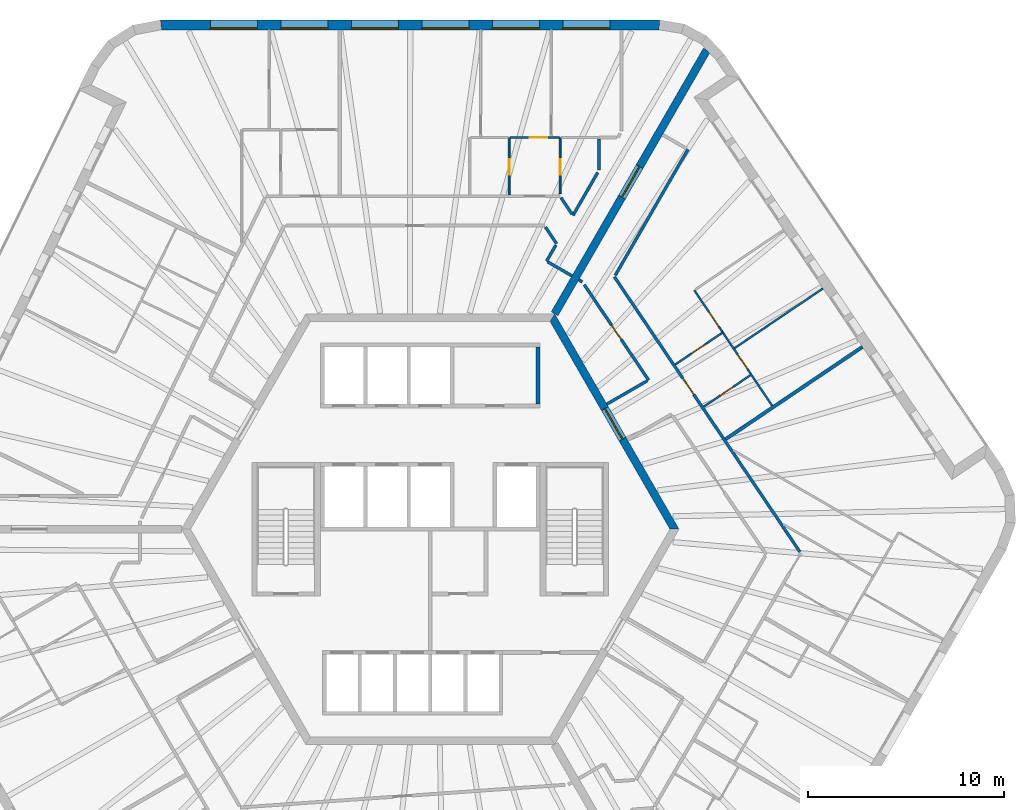
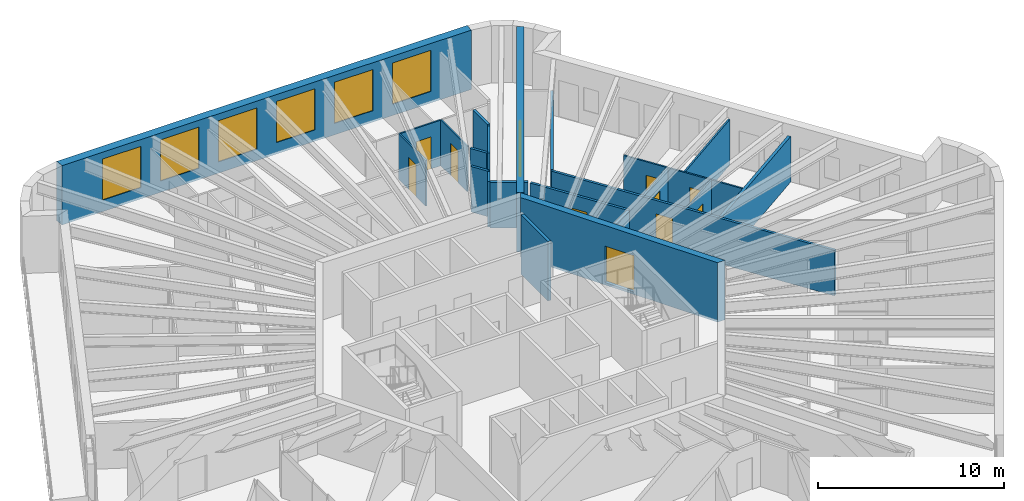
# One storey, part 10 of 12: 24 walls, 11 doors, 6 windows, 17 openings.
"""IFC4 building model written with IfcOpenShell, lengths in metres."""

from ifc_helpers import new_model, si_unit, direction, frame, frame_2d, origin, place, context, subcontext, project, spatial, polyline, rectangle, outline, extrude, material, layer, layer_set, type_object, element, fill, save


model = new_model("IFC4")

# Units and contexts
model_context = context("Model", 3, precision=1e-05, world=origin(), true_north=direction((0.0, 1.0)))
body_context = subcontext(model_context, "Body", "Model", "MODEL_VIEW")
ifc_project = project(units=[si_unit("LENGTHUNIT", "METRE"), si_unit("AREAUNIT", "SQUARE_METRE"), si_unit("VOLUMEUNIT", "CUBIC_METRE"), si_unit("PLANEANGLEUNIT", "RADIAN"), si_unit("MASSUNIT", "GRAM", prefix="KILO")], contexts=[model_context])

# Site, building, storey
site_placement = place(None, origin())
site = spatial("IfcSite", under=ifc_project, at=site_placement, CompositionType="ELEMENT")
building_placement = place(site_placement, origin())
building = spatial("IfcBuilding", under=site, at=building_placement, Name="Tarnside Tower", CompositionType="ELEMENT")
storey_placement = place(building_placement, frame((0.0, 0.0, 271.800048828125)))
storey = spatial("IfcBuildingStorey", under=building, at=storey_placement, Name="L65", CompositionType="ELEMENT", Elevation=271.800048828125)

# Wall, opening, door
ifc_material_1 = material(Name="Gypsum board partition on steel studs", Category="steel")
ifc_layer_1 = layer(ifc_material_1, 0.10009765625)
ifc_layer_set_1 = layer_set([ifc_layer_1], Name="Bathroom wall 100")
wall_type_1 = type_object("IfcWallType", Name="Bathroom wall 100", PredefinedType="PARTITIONING", material=ifc_layer_set_1)
wall_1_placement = place(storey_placement, frame((4.026611328125, 20.0, 0.0), z_axis=(0.0, 0.0, 1.0), x_axis=(0.0, -1.0, 0.0)))
wall_1 = element("IfcWall", 1, at=wall_1_placement, inside=storey, type_object=wall_type_1, Name="Bathroom wall 21091", PredefinedType="PARTITIONING", context=body_context, shape_type="SweptSolid", body=[
    extrude(rectangle(XDim=2.925048828125, YDim=0.10009765625, at=frame_2d((1.46240234375, 0.0))), origin(), (0.0, 0.0, 1.0), 2.98779296875),
])
opening_1_placement = place(wall_1_placement, frame((1.10009765625, 0.0, 0.0)))
opening_1 = element("IfcOpeningElement", 2, at=opening_1_placement, cuts=wall_1, Name="Opening D-B1", PredefinedType="OPENING", context=body_context, shape_type="SweptSolid", body=[
    extrude(rectangle(XDim=0.800048828125, YDim=2.10009765625, at=frame_2d((0.39990234375, 1.050048828125))), frame((0.0, 0.06005859375, 0.0), z_axis=(0.0, -1.0, 0.0), x_axis=(1.0, 0.0, 0.0)), (0.0, 0.0, 1.0), 0.1201171875),
])
ifc_material_2 = material(Name="Timber door leaf", Category="wood")
door_type_1 = type_object("IfcDoorType", Name="Bathroom door 800", OperationType="NOTDEFINED", PredefinedType="DOOR", material=ifc_material_2)
door_1_placement = place(opening_1_placement, origin())
door_1 = element("IfcDoor", 3, at=door_1_placement, inside=storey, type_object=door_type_1, Name="Bathroom door 21002", OperationType="SINGLE_SWING_LEFT", OverallHeight=2.10009765625, OverallWidth=0.800048828125, PredefinedType="DOOR", context=body_context, shape_type="SweptSolid", body=[
    extrude(rectangle(XDim=0.800048828125, YDim=2.10009765625, at=frame_2d((0.39990234375, 1.050048828125))), frame((0.0, 0.02490234375, 0.0), z_axis=(0.0, -1.0, 0.0), x_axis=(1.0, 0.0, 0.0)), (0.0, 0.0, 1.0), 0.050048828125),
])
fill(opening_1, door_1)

wall_2_placement = place(storey_placement, frame((6.626708984375, 17.134033203125, 0.0), z_axis=(0.0, 0.0, 1.0), x_axis=(0.0, 1.0, 0.0)))
wall_2 = element("IfcWall", 4, at=wall_2_placement, inside=storey, type_object=wall_type_1, Name="Bathroom wall 21094", PredefinedType="PARTITIONING", context=body_context, shape_type="SweptSolid", body=[
    extrude(rectangle(XDim=2.865966796875, YDim=0.10009765625, at=frame_2d((1.43310546875, 0.0))), origin(), (0.0, 0.0, 1.0), 2.98779296875),
])
opening_2_placement = place(wall_2_placement, frame((0.9658203125, 0.0, 0.0)))
opening_2 = element("IfcOpeningElement", 5, at=opening_2_placement, cuts=wall_2, Name="Opening D-B1", PredefinedType="OPENING", context=body_context, shape_type="SweptSolid", body=[
    extrude(rectangle(XDim=0.800048828125, YDim=2.10009765625, at=frame_2d((0.39990234375, 1.050048828125))), frame((0.0, 0.06005859375, 0.0), z_axis=(0.0, -1.0, 0.0), x_axis=(1.0, 0.0, 0.0)), (0.0, 0.0, 1.0), 0.1201171875),
])
door_2_placement = place(opening_2_placement, origin())
door_2 = element("IfcDoor", 6, at=door_2_placement, inside=storey, type_object=door_type_1, Name="Bathroom door 21011", OperationType="SINGLE_SWING_RIGHT", OverallHeight=2.10009765625, OverallWidth=0.800048828125, PredefinedType="DOOR", context=body_context, shape_type="SweptSolid", body=[
    extrude(rectangle(XDim=0.800048828125, YDim=2.10009765625, at=frame_2d((0.39990234375, 1.050048828125))), frame((0.0, 0.02490234375, 0.0), z_axis=(0.0, -1.0, 0.0), x_axis=(1.0, 0.0, 0.0)), (0.0, 0.0, 1.0), 0.050048828125),
])
fill(opening_2, door_2)

wall_3_placement = place(storey_placement, frame((13.965576171875, 6.25390625, 0.0), z_axis=(0.0, 0.0, 1.0), x_axis=(0.829046031219, 0.559180362781, 0.0)))
wall_3 = element("IfcWall", 7, at=wall_3_placement, inside=storey, type_object=wall_type_1, Name="Bathroom wall 21174", PredefinedType="PARTITIONING", context=body_context, shape_type="SweptSolid", body=[
    extrude(rectangle(XDim=2.9248046875, YDim=0.10009765625, at=frame_2d((1.46240234375, 0.0))), origin(), (0.0, 0.0, 1.0), 2.98779296875),
])
opening_3_placement = place(wall_3_placement, frame((1.02490234375, 0.0, 0.0)))
opening_3 = element("IfcOpeningElement", 8, at=opening_3_placement, cuts=wall_3, Name="Opening D-B1", PredefinedType="OPENING", context=body_context, shape_type="SweptSolid", body=[
    extrude(rectangle(XDim=0.800048828125, YDim=2.10009765625, at=frame_2d((0.39990234375, 1.050048828125))), frame((0.0, 0.06005859375, 0.0), z_axis=(0.0, -1.0, 0.0), x_axis=(1.0, 0.0, 0.0)), (0.0, 0.0, 1.0), 0.1201171875),
])
door_3_placement = place(opening_3_placement, origin())
door_3 = element("IfcDoor", 9, at=door_3_placement, inside=storey, type_object=door_type_1, Name="Bathroom door 21064", OperationType="SINGLE_SWING_RIGHT", OverallHeight=2.10009765625, OverallWidth=0.800048828125, PredefinedType="DOOR", context=body_context, shape_type="SweptSolid", body=[
    extrude(rectangle(XDim=0.800048828125, YDim=2.10009765625, at=frame_2d((0.39990234375, 1.050048828125))), frame((0.0, 0.02490234375, 0.0), z_axis=(0.0, -1.0, 0.0), x_axis=(1.0, 0.0, 0.0)), (0.0, 0.0, 1.0), 0.050048828125),
])
fill(opening_3, door_3)

# Wall
wall_4_placement = place(storey_placement, frame((17.45849609375, 6.305908203125, 0.0), z_axis=(0.0, 0.0, 1.0), x_axis=(-0.559200351269, 0.829032548903, 0.0)))
element("IfcWall", 10, at=wall_4_placement, inside=storey, type_object=wall_type_1, Name="Bathroom wall 21177", PredefinedType="PARTITIONING", context=body_context, shape_type="SweptSolid", body=[
    extrude(rectangle(XDim=1.862060546875, YDim=0.10009765625, at=frame_2d((0.93115234375, 0.0))), origin(), (0.0, 0.0, 1.0), 2.98779296875),
])

# Wall, opening, door
ifc_material_3 = material(Name="Concrete C60/75", Category="concrete")
ifc_layer_2 = layer(ifc_material_3, 0.39990234375)
ifc_layer_set_2 = layer_set([ifc_layer_2], Name="Core wall Z3 400 C60/75")
wall_type_2 = type_object("IfcWallType", Name="Core wall Z3 400 C60/75", PredefinedType="SHEAR", material=ifc_layer_set_2)
wall_5_placement = place(storey_placement, frame((12.470703125, 0.0, -0.150146484375), z_axis=(0.0, 0.0, 1.0), x_axis=(-0.499996419489, 0.866027470984, 0.0)))
wall_5 = element("IfcWall", 11, at=wall_5_placement, inside=storey, type_object=wall_type_2, Name="L65 core wall face 6", PredefinedType="SHEAR", context=body_context, shape_type="SweptSolid", body=[
    extrude(outline(polyline([(-0.115478515625, -0.199951171875), (12.586181640625, -0.199951171875), (12.355224609375, 0.199951171875), (0.115478515625, 0.199951171875), (-0.115478515625, -0.199951171875)])), origin(), (0.0, 0.0, 1.0), 3.900146484375),
])
opening_4_placement = place(wall_5_placement, frame((5.306396484375, 0.0, 0.14990234375)))
opening_4 = element("IfcOpeningElement", 12, at=opening_4_placement, cuts=wall_5, Name="Opening CD-LOB", PredefinedType="OPENING", context=body_context, shape_type="SweptSolid", body=[
    extrude(rectangle(XDim=1.800048828125, YDim=2.39990234375, at=frame_2d((0.89990234375, 1.199951171875))), frame((0.0, 0.2099609375, 0.0), z_axis=(0.0, -1.0, 0.0), x_axis=(1.0, 0.0, 0.0)), (0.0, 0.0, 1.0), 0.419921875),
])
ifc_material_4 = material(Name="Steel fire door", Category="steel")
door_type_2 = type_object("IfcDoorType", Name="Lobby double door FD30S 1800x2400", OperationType="NOTDEFINED", PredefinedType="DOOR", material=ifc_material_4)
door_4_placement = place(opening_4_placement, origin())
door_4 = element("IfcDoor", 13, at=door_4_placement, inside=storey, type_object=door_type_2, Name="L65 core door P2", OperationType="DOUBLE_DOOR_SINGLE_SWING", OverallHeight=2.39990234375, OverallWidth=1.800048828125, PredefinedType="DOOR", context=body_context, shape_type="SweptSolid", body=[
    extrude(rectangle(XDim=1.800048828125, YDim=2.39990234375, at=frame_2d((0.89990234375, 1.199951171875))), frame((0.0, 0.02490234375, 0.0), z_axis=(0.0, -1.0, 0.0), x_axis=(1.0, 0.0, 0.0)), (0.0, 0.0, 1.0), 0.050048828125),
])
fill(opening_4, door_4)

wall_6_placement = place(storey_placement, frame((6.350830078125, 11.0, -0.150146484375), z_axis=(0.0, 0.0, 1.0), x_axis=(0.499998894578, 0.866026041999, 0.0)))
wall_6 = element("IfcWall", 14, at=wall_6_placement, inside=storey, type_object=wall_type_2, Name="L65 spine wall 1", PredefinedType="SHEAR", context=body_context, shape_type="SweptSolid", body=[
    extrude(rectangle(XDim=15.54443359375, YDim=0.39990234375, at=frame_2d((7.772216796875, 0.0))), origin(), (0.0, 0.0, 1.0), 3.900146484375),
])
opening_5_placement = place(wall_6_placement, frame((6.872314453125, 0.0, 0.14990234375)))
opening_5 = element("IfcOpeningElement", 15, at=opening_5_placement, cuts=wall_6, Name="Opening CD-SPN", PredefinedType="OPENING", context=body_context, shape_type="SweptSolid", body=[
    extrude(rectangle(XDim=1.800048828125, YDim=2.39990234375, at=frame_2d((0.89990234375, 1.199951171875))), frame((0.0, 0.2099609375, 0.0), z_axis=(0.0, -1.0, 0.0), x_axis=(1.0, 0.0, 0.0)), (0.0, 0.0, 1.0), 0.419921875),
])
door_type_3 = type_object("IfcDoorType", Name="Spine passage double door FD60 1800x2400", OperationType="NOTDEFINED", PredefinedType="DOOR", material=ifc_material_4)
door_5_placement = place(opening_5_placement, origin())
door_5 = element("IfcDoor", 16, at=door_5_placement, inside=storey, type_object=door_type_3, Name="L65 spine passage door 1", OperationType="DOUBLE_DOOR_SINGLE_SWING", OverallHeight=2.39990234375, OverallWidth=1.800048828125, PredefinedType="DOOR", context=body_context, shape_type="SweptSolid", body=[
    extrude(rectangle(XDim=1.800048828125, YDim=2.39990234375, at=frame_2d((0.89990234375, 1.199951171875))), frame((0.0, 0.02490234375, 0.0), z_axis=(0.0, -1.0, 0.0), x_axis=(1.0, 0.0, 0.0)), (0.0, 0.0, 1.0), 0.050048828125),
])
fill(opening_5, door_5)

# Walls
ifc_layer_3 = layer(ifc_material_1, 0.14990234375)
ifc_layer_set_3 = layer_set([ifc_layer_3], Name="Corridor wall 150 EI 60")
wall_type_3 = type_object("IfcWallType", Name="Corridor wall 150 EI 60", PredefinedType="PARTITIONING", material=ifc_layer_set_3)
wall_7_placement = place(storey_placement, frame((8.626708984375, 19.925048828125, 0.0), z_axis=(0.0, 0.0, 1.0), x_axis=(0.0, -1.0, 0.0)))
element("IfcWall", 17, at=wall_7_placement, inside=storey, type_object=wall_type_3, Name="Corridor wall 21007", PredefinedType="PARTITIONING", context=body_context, shape_type="SweptSolid", body=[
    extrude(rectangle(XDim=1.583251953125, YDim=0.14990234375, at=frame_2d((0.79150390625, 0.0))), origin(), (0.0, 0.0, 1.0), 2.98779296875),
])
wall_8_placement = place(storey_placement, frame((8.551513671875, 18.2119140625, 0.0), z_axis=(0.0, 0.0, 1.0), x_axis=(-0.499959175164, -0.866048972731, 0.0)))
element("IfcWall", 18, at=wall_8_placement, inside=storey, type_object=wall_type_3, Name="Corridor wall 21008", PredefinedType="PARTITIONING", context=body_context, shape_type="SweptSolid", body=[
    extrude(rectangle(XDim=2.529541015625, YDim=0.14990234375, at=frame_2d((1.2646484375, 0.0))), origin(), (0.0, 0.0, 1.0), 2.98779296875),
])
wall_9_placement = place(storey_placement, frame((7.240234375, 16.09033203125, 0.0), z_axis=(0.0, 0.0, 1.0), x_axis=(-0.55916880098, 0.82905382938, 0.0)))
element("IfcWall", 19, at=wall_9_placement, inside=storey, type_object=wall_type_3, Name="Corridor wall 21009", PredefinedType="PARTITIONING", context=body_context, shape_type="SweptSolid", body=[
    extrude(rectangle(XDim=1.0068359375, YDim=0.14990234375, at=frame_2d((0.50341796875, 0.0))), origin(), (0.0, 0.0, 1.0), 2.98779296875),
])
wall_10_placement = place(storey_placement, frame((5.879638671875, 15.425048828125, 0.0), z_axis=(0.0, 0.0, 1.0), x_axis=(0.559202631314, -0.829031010959, 0.0)))
element("IfcWall", 20, at=wall_10_placement, inside=storey, type_object=wall_type_3, Name="Corridor wall 21023", PredefinedType="PARTITIONING", context=body_context, shape_type="SweptSolid", body=[
    extrude(rectangle(XDim=1.024169921875, YDim=0.14990234375, at=frame_2d((0.51220703125, 0.0))), origin(), (0.0, 0.0, 1.0), 2.98779296875),
])
wall_11_placement = place(storey_placement, frame((6.41064453125, 14.503662109375, 0.0), z_axis=(0.0, 0.0, 1.0), x_axis=(-0.499998034377, -0.866026538634, 0.0)))
element("IfcWall", 21, at=wall_11_placement, inside=storey, type_object=wall_type_3, Name="Corridor wall 21024", PredefinedType="PARTITIONING", context=body_context, shape_type="SweptSolid", body=[
    extrude(rectangle(XDim=0.94580078125, YDim=0.14990234375, at=frame_2d((0.472900390625, 0.0))), origin(), (0.0, 0.0, 1.0), 2.98779296875),
])
wall_12_placement = place(storey_placement, frame((6.002685546875, 13.647216796875, 0.0), z_axis=(0.0, 0.0, 1.0), x_axis=(0.865988727248, -0.500063520245, 0.0)))
element("IfcWall", 22, at=wall_12_placement, inside=storey, type_object=wall_type_3, Name="Corridor wall 21025", PredefinedType="PARTITIONING", context=body_context, shape_type="SweptSolid", body=[
    extrude(rectangle(XDim=1.425048828125, YDim=0.14990234375, at=frame_2d((0.71240234375, 0.0))), origin(), (0.0, 0.0, 1.0), 2.98779296875),
])

# Wall, opening, door
wall_13_placement = place(storey_placement, frame((18.87451171875, -1.158203125, 0.0), z_axis=(0.0, 0.0, 1.0), x_axis=(-0.55919880344, 0.829033592945, 0.0)))
wall_13 = element("IfcWall", 23, at=wall_13_placement, inside=storey, type_object=wall_type_3, Name="Corridor wall 21064", PredefinedType="PARTITIONING", context=body_context, shape_type="SweptSolid", body=[
    extrude(rectangle(XDim=16.939208984375, YDim=0.14990234375, at=frame_2d((8.4697265625, 0.0))), origin(), (0.0, 0.0, 1.0), 2.98779296875),
])
opening_6_placement = place(wall_13_placement, frame((9.690185546875, 0.0, 0.0)))
opening_6 = element("IfcOpeningElement", 24, at=opening_6_placement, cuts=wall_13, Name="Opening D-E1", PredefinedType="OPENING", context=body_context, shape_type="SweptSolid", body=[
    extrude(rectangle(XDim=1.0, YDim=2.10009765625, at=frame_2d((0.5, 1.050048828125))), frame((0.0, 0.0849609375, 0.0), z_axis=(0.0, -1.0, 0.0), x_axis=(1.0, 0.0, 0.0)), (0.0, 0.0, 1.0), 0.169921875),
])
door_type_4 = type_object("IfcDoorType", Name="Unit entrance door 1000 FD30S", OperationType="NOTDEFINED", PredefinedType="DOOR", material=ifc_material_2)
door_6_placement = place(opening_6_placement, origin())
door_6 = element("IfcDoor", 25, at=door_6_placement, inside=storey, type_object=door_type_4, Name="Unit door 21063", OperationType="SINGLE_SWING_RIGHT", OverallHeight=2.10009765625, OverallWidth=1.0, PredefinedType="DOOR", context=body_context, shape_type="SweptSolid", body=[
    extrude(rectangle(XDim=1.0, YDim=2.10009765625, at=frame_2d((0.5, 1.050048828125))), frame((0.0, 0.02490234375, 0.0), z_axis=(0.0, -1.0, 0.0), x_axis=(1.0, 0.0, 0.0)), (0.0, 0.0, 1.0), 0.050048828125),
])
fill(opening_6, door_6)

# Walls
wall_14_placement = place(storey_placement, frame((9.44384765625, 12.957275390625, 0.0), z_axis=(0.0, 0.0, 1.0), x_axis=(0.500004967958, 0.866022535513, 0.0)))
element("IfcWall", 26, at=wall_14_placement, inside=storey, type_object=wall_type_3, Name="Corridor wall 21070", PredefinedType="PARTITIONING", context=body_context, shape_type="SweptSolid", body=[
    extrude(rectangle(XDim=7.4306640625, YDim=0.14990234375, at=frame_2d((3.71533203125, 0.0))), origin(), (0.0, 0.0, 1.0), 2.98779296875),
])
wall_15_placement = place(storey_placement, frame((7.583251953125, 12.734619140625, 0.0), z_axis=(0.0, 0.0, 1.0), x_axis=(0.866088799389, -0.499890179513, 0.0)))
element("IfcWall", 27, at=wall_15_placement, inside=storey, type_object=wall_type_3, Name="Corridor wall 21083", PredefinedType="PARTITIONING", context=body_context, shape_type="SweptSolid", body=[
    extrude(rectangle(XDim=0.2099609375, YDim=0.14990234375, at=frame_2d((0.10498046875, 0.0))), origin(), (0.0, 0.0, 1.0), 2.98779296875),
])

# Wall, opening, door
wall_16_placement = place(storey_placement, frame((7.86083984375, 12.48779296875, 0.0), z_axis=(0.0, 0.0, 1.0), x_axis=(0.559178186788, -0.829047498893, 0.0)))
wall_16 = element("IfcWall", 28, at=wall_16_placement, inside=storey, type_object=wall_type_3, Name="Corridor wall 21084", PredefinedType="PARTITIONING", context=body_context, shape_type="SweptSolid", body=[
    extrude(rectangle(XDim=5.877685546875, YDim=0.14990234375, at=frame_2d((2.93896484375, 0.0))), origin(), (0.0, 0.0, 1.0), 2.98779296875),
])
opening_7_placement = place(wall_16_placement, frame((2.48876953125, 0.0, 0.0)))
opening_7 = element("IfcOpeningElement", 29, at=opening_7_placement, cuts=wall_16, Name="Opening D-S1", PredefinedType="OPENING", context=body_context, shape_type="SweptSolid", body=[
    extrude(rectangle(XDim=0.89990234375, YDim=2.10009765625, at=frame_2d((0.449951171875, 1.050048828125))), frame((0.0, 0.0849609375, 0.0), z_axis=(0.0, -1.0, 0.0), x_axis=(1.0, 0.0, 0.0)), (0.0, 0.0, 1.0), 0.169921875),
])
door_type_5 = type_object("IfcDoorType", Name="Service room door 900 FD30S", OperationType="NOTDEFINED", PredefinedType="DOOR", material=ifc_material_2)
door_7_placement = place(opening_7_placement, origin())
door_7 = element("IfcDoor", 30, at=door_7_placement, inside=storey, type_object=door_type_5, Name="Service door 21075", OperationType="SINGLE_SWING_RIGHT", OverallHeight=2.10009765625, OverallWidth=0.89990234375, PredefinedType="DOOR", context=body_context, shape_type="SweptSolid", body=[
    extrude(rectangle(XDim=0.89990234375, YDim=2.10009765625, at=frame_2d((0.449951171875, 1.050048828125))), frame((0.0, 0.02490234375, 0.0), z_axis=(0.0, -1.0, 0.0), x_axis=(1.0, 0.0, 0.0)), (0.0, 0.0, 1.0), 0.050048828125),
])
fill(opening_7, door_7)

# Walls
wall_17_placement = place(storey_placement, frame((11.082275390625, 7.57763671875, 0.0), z_axis=(0.0, 0.0, 1.0), x_axis=(-0.865993065409, -0.500056007527, 0.0)))
element("IfcWall", 31, at=wall_17_placement, inside=storey, type_object=wall_type_3, Name="Corridor wall 21085", PredefinedType="PARTITIONING", context=body_context, shape_type="SweptSolid", body=[
    extrude(rectangle(XDim=2.386474609375, YDim=0.14990234375, at=frame_2d((1.193359375, 0.0))), origin(), (0.0, 0.0, 1.0), 2.98779296875),
])
ifc_layer_4 = layer(ifc_material_1, 0.179931640625)
ifc_layer_set_4 = layer_set([ifc_layer_4], Name="Demising wall 180 EI 60")
wall_type_4 = type_object("IfcWallType", Name="Demising wall 180 EI 60", PredefinedType="PARTITIONING", material=ifc_layer_set_4)
wall_18_placement = place(storey_placement, frame((22.068603515625, 9.306884765625, 0.0), z_axis=(0.0, 0.0, 1.0), x_axis=(-0.829046823816, -0.559179187668, 0.0)))
element("IfcWall", 32, at=wall_18_placement, inside=storey, type_object=wall_type_4, Name="Demising wall 21162", PredefinedType="PARTITIONING", context=body_context, shape_type="SweptSolid", body=[
    extrude(rectangle(XDim=8.42529296875, YDim=0.179931640625, at=frame_2d((4.212646484375, 0.0))), origin(), (0.0, 0.0, 1.0), 2.98779296875),
])
ifc_material_5 = material(Name="Concrete C40/50", Category="concrete")
ifc_layer_5 = layer(ifc_material_5, 0.199951171875)
ifc_layer_set_5 = layer_set([ifc_layer_5], Name="Lift shaft wall 200 C40/50")
wall_type_5 = type_object("IfcWallType", Name="Lift shaft wall 200 C40/50", PredefinedType="SHEAR", material=ifc_layer_set_5)
wall_19_placement = place(storey_placement, frame((5.5, 6.39990234375, -0.25), z_axis=(0.0, 0.0, 1.0), x_axis=(0.0, 1.0, 0.0)))
element("IfcWall", 33, at=wall_19_placement, inside=storey, type_object=wall_type_5, Name="L65 lift shaft partition R16", PredefinedType="SHEAR", context=body_context, shape_type="SweptSolid", body=[
    extrude(rectangle(XDim=2.900146484375, YDim=0.199951171875, at=frame_2d((1.4501953125, 0.0))), origin(), (0.0, 0.0, 1.0), 3.89990234375),
])

# Wall, opening, door
ifc_layer_6 = layer(ifc_material_1, 0.10009765625)
ifc_layer_set_6 = layer_set([ifc_layer_6], Name="Partition 100")
wall_type_6 = type_object("IfcWallType", Name="Partition 100", PredefinedType="PARTITIONING", material=ifc_layer_set_6)
wall_20_placement = place(storey_placement, frame((6.57861328125, 20.0, 0.0), z_axis=(0.0, 0.0, 1.0), x_axis=(-1.0, 0.0, 0.0)))
wall_20 = element("IfcWall", 34, at=wall_20_placement, inside=storey, type_object=wall_type_6, Name="Partition wall 21092", PredefinedType="PARTITIONING", context=body_context, shape_type="SweptSolid", body=[
    extrude(rectangle(XDim=2.50390625, YDim=0.10009765625, at=frame_2d((1.251953125, 0.0))), origin(), (0.0, 0.0, 1.0), 2.98779296875),
])
opening_8_placement = place(wall_20_placement, frame((0.603515625, 0.0, 0.0)))
opening_8 = element("IfcOpeningElement", 35, at=opening_8_placement, cuts=wall_20, Name="Opening D-I1", PredefinedType="OPENING", context=body_context, shape_type="SweptSolid", body=[
    extrude(rectangle(XDim=0.89990234375, YDim=2.10009765625, at=frame_2d((0.449951171875, 1.050048828125))), frame((0.0, 0.06005859375, 0.0), z_axis=(0.0, -1.0, 0.0), x_axis=(1.0, 0.0, 0.0)), (0.0, 0.0, 1.0), 0.1201171875),
])
door_type_6 = type_object("IfcDoorType", Name="Internal door 900", OperationType="NOTDEFINED", PredefinedType="DOOR", material=ifc_material_2)
door_8_placement = place(opening_8_placement, origin())
door_8 = element("IfcDoor", 36, at=door_8_placement, inside=storey, type_object=door_type_6, Name="Internal door 21005", OperationType="SINGLE_SWING_LEFT", OverallHeight=2.10009765625, OverallWidth=0.89990234375, PredefinedType="DOOR", context=body_context, shape_type="SweptSolid", body=[
    extrude(rectangle(XDim=0.89990234375, YDim=2.10009765625, at=frame_2d((0.449951171875, 1.050048828125))), frame((0.0, 0.02490234375, 0.0), z_axis=(0.0, -1.0, 0.0), x_axis=(1.0, 0.0, 0.0)), (0.0, 0.0, 1.0), 0.050048828125),
])
fill(opening_8, door_8)

wall_21_placement = place(storey_placement, frame((12.511474609375, 8.409423828125, 0.0), z_axis=(0.0, 0.0, 1.0), x_axis=(0.829072128826, 0.559141668278, 0.0)))
wall_21 = element("IfcWall", 37, at=wall_21_placement, inside=storey, type_object=wall_type_6, Name="Partition wall 21171", PredefinedType="PARTITIONING", context=body_context, shape_type="SweptSolid", body=[
    extrude(rectangle(XDim=2.925048828125, YDim=0.10009765625, at=frame_2d((1.46240234375, 0.0))), origin(), (0.0, 0.0, 1.0), 2.98779296875),
])
opening_9_placement = place(wall_21_placement, frame((0.97509765625, 0.0, 0.0)))
opening_9 = element("IfcOpeningElement", 38, at=opening_9_placement, cuts=wall_21, Name="Opening D-I1", PredefinedType="OPENING", context=body_context, shape_type="SweptSolid", body=[
    extrude(rectangle(XDim=0.89990234375, YDim=2.10009765625, at=frame_2d((0.449951171875, 1.050048828125))), frame((0.0, 0.06005859375, 0.0), z_axis=(0.0, -1.0, 0.0), x_axis=(1.0, 0.0, 0.0)), (0.0, 0.0, 1.0), 0.1201171875),
])
door_9_placement = place(opening_9_placement, origin())
door_9 = element("IfcDoor", 39, at=door_9_placement, inside=storey, type_object=door_type_6, Name="Internal door 21065", OperationType="SINGLE_SWING_RIGHT", OverallHeight=2.10009765625, OverallWidth=0.89990234375, PredefinedType="DOOR", context=body_context, shape_type="SweptSolid", body=[
    extrude(rectangle(XDim=0.89990234375, YDim=2.10009765625, at=frame_2d((0.449951171875, 1.050048828125))), frame((0.0, 0.02490234375, 0.0), z_axis=(0.0, -1.0, 0.0), x_axis=(1.0, 0.0, 0.0)), (0.0, 0.0, 1.0), 0.050048828125),
])
fill(opening_9, door_9)

# Wall, openings, doors
wall_22_placement = place(storey_placement, frame((16.3916015625, 7.887939453125, 0.0), z_axis=(0.0, 0.0, 1.0), x_axis=(-0.559208437152, 0.829027094743, 0.0)))
wall_22 = element("IfcWall", 40, at=wall_22_placement, inside=storey, type_object=wall_type_6, Name="Partition wall 21172", PredefinedType="PARTITIONING", context=body_context, shape_type="SweptSolid", body=[
    extrude(rectangle(XDim=5.201904296875, YDim=0.10009765625, at=frame_2d((2.60107421875, 0.0))), origin(), (0.0, 0.0, 1.0), 2.98779296875),
])
opening_10_placement = place(wall_22_placement, frame((0.35205078125, 0.0, 0.0)))
opening_10 = element("IfcOpeningElement", 41, at=opening_10_placement, cuts=wall_22, Name="Opening D-I1", PredefinedType="OPENING", context=body_context, shape_type="SweptSolid", body=[
    extrude(rectangle(XDim=0.89990234375, YDim=2.10009765625, at=frame_2d((0.449951171875, 1.050048828125))), frame((0.0, 0.06005859375, 0.0), z_axis=(0.0, -1.0, 0.0), x_axis=(1.0, 0.0, 0.0)), (0.0, 0.0, 1.0), 0.1201171875),
])
opening_11_placement = place(wall_22_placement, frame((2.951904296875, 0.0, 0.0)))
opening_11 = element("IfcOpeningElement", 42, at=opening_11_placement, cuts=wall_22, Name="Opening D-I1", PredefinedType="OPENING", context=body_context, shape_type="SweptSolid", body=[
    extrude(rectangle(XDim=0.89990234375, YDim=2.10009765625, at=frame_2d((0.449951171875, 1.050048828125))), frame((0.0, 0.06005859375, 0.0), z_axis=(0.0, -1.0, 0.0), x_axis=(1.0, 0.0, 0.0)), (0.0, 0.0, 1.0), 0.1201171875),
])
door_10_placement = place(opening_10_placement, origin())
door_10 = element("IfcDoor", 43, at=door_10_placement, inside=storey, type_object=door_type_6, Name="Internal door 21066", OperationType="SINGLE_SWING_LEFT", OverallHeight=2.10009765625, OverallWidth=0.89990234375, PredefinedType="DOOR", context=body_context, shape_type="SweptSolid", body=[
    extrude(rectangle(XDim=0.89990234375, YDim=2.10009765625, at=frame_2d((0.449951171875, 1.050048828125))), frame((0.0, 0.02490234375, 0.0), z_axis=(0.0, -1.0, 0.0), x_axis=(1.0, 0.0, 0.0)), (0.0, 0.0, 1.0), 0.050048828125),
])
fill(opening_10, door_10)
door_11_placement = place(opening_11_placement, origin())
door_11 = element("IfcDoor", 44, at=door_11_placement, inside=storey, type_object=door_type_6, Name="Internal door 21067", OperationType="SINGLE_SWING_RIGHT", OverallHeight=2.10009765625, OverallWidth=0.89990234375, PredefinedType="DOOR", context=body_context, shape_type="SweptSolid", body=[
    extrude(rectangle(XDim=0.89990234375, YDim=2.10009765625, at=frame_2d((0.449951171875, 1.050048828125))), frame((0.0, 0.02490234375, 0.0), z_axis=(0.0, -1.0, 0.0), x_axis=(1.0, 0.0, 0.0)), (0.0, 0.0, 1.0), 0.050048828125),
])
fill(opening_11, door_11)

# Wall
wall_23_placement = place(storey_placement, frame((20.055419921875, 12.29150390625, 0.0), z_axis=(0.0, 0.0, 1.0), x_axis=(-0.829040254016, -0.559188928021, 0.0)))
element("IfcWall", 45, at=wall_23_placement, inside=storey, type_object=wall_type_6, Name="Partition wall 21178", PredefinedType="PARTITIONING", context=body_context, shape_type="SweptSolid", body=[
    extrude(rectangle(XDim=5.449951171875, YDim=0.10009765625, at=frame_2d((2.72509765625, 0.0))), origin(), (0.0, 0.0, 1.0), 2.98779296875),
])

# Wall, openings, windows
ifc_material_6 = material(Name="Facing brick", Category="masonry")
ifc_layer_7 = layer(ifc_material_6, 0.10205078125)
ifc_material_7 = material(Name="Concrete C60/75 precast", Category="concrete")
ifc_layer_8 = layer(ifc_material_7, 0.298095703125)
ifc_material_8 = material(Name="Mineral wool insulation")
ifc_layer_9 = layer(ifc_material_8, 0.10009765625)
ifc_layer_set_7 = layer_set([ifc_layer_7, ifc_layer_8, ifc_layer_9], Name="Tube wall 500 brick faced")
wall_type_7 = type_object("IfcWallType", Name="Tube wall 500 brick faced", PredefinedType="SOLIDWALL", material=ifc_layer_set_7)
wall_24_placement = place(storey_placement, frame((11.697509765625, 25.75, -0.150146484375), z_axis=(0.0, 0.0, 1.0), x_axis=(-1.0, 0.0, 0.0)))
wall_24 = element("IfcWall", 46, at=wall_24_placement, inside=storey, type_object=wall_type_7, Name="Tube wall L65 F1 flush 00", PredefinedType="SOLIDWALL", context=body_context, shape_type="SweptSolid", body=[
    extrude(outline(polyline([(-0.0205078125, -0.25), (25.468017578125, -0.25), (25.421142578125, 0.25), (0.0205078125, 0.25), (-0.0205078125, -0.25)])), origin(), (0.0, 0.0, 1.0), 3.900146484375),
])
opening_12_placement = place(wall_24_placement, frame((2.5224609375, 0.0, 0.75)))
opening_12 = element("IfcOpeningElement", 47, at=opening_12_placement, cuts=wall_24, Name="Opening WR", PredefinedType="OPENING", context=body_context, shape_type="SweptSolid", body=[
    extrude(rectangle(XDim=2.39990234375, YDim=2.699951171875, at=frame_2d((1.199951171875, 1.35009765625))), frame((0.0, 0.260009765625, 0.0), z_axis=(0.0, -1.0, 0.0), x_axis=(1.0, 0.0, 0.0)), (0.0, 0.0, 1.0), 0.52001953125),
])
opening_13_placement = place(wall_24_placement, frame((6.122314453125, 0.0, 0.75)))
opening_13 = element("IfcOpeningElement", 48, at=opening_13_placement, cuts=wall_24, Name="Opening WR", PredefinedType="OPENING", context=body_context, shape_type="SweptSolid", body=[
    extrude(rectangle(XDim=2.39990234375, YDim=2.699951171875, at=frame_2d((1.199951171875, 1.35009765625))), frame((0.0, 0.260009765625, 0.0), z_axis=(0.0, -1.0, 0.0), x_axis=(1.0, 0.0, 0.0)), (0.0, 0.0, 1.0), 0.52001953125),
])
opening_14_placement = place(wall_24_placement, frame((9.722412109375, 0.0, 0.75)))
opening_14 = element("IfcOpeningElement", 49, at=opening_14_placement, cuts=wall_24, Name="Opening WR", PredefinedType="OPENING", context=body_context, shape_type="SweptSolid", body=[
    extrude(rectangle(XDim=2.39990234375, YDim=2.699951171875, at=frame_2d((1.199951171875, 1.35009765625))), frame((0.0, 0.260009765625, 0.0), z_axis=(0.0, -1.0, 0.0), x_axis=(1.0, 0.0, 0.0)), (0.0, 0.0, 1.0), 0.52001953125),
])
opening_15_placement = place(wall_24_placement, frame((13.322509765625, 0.0, 0.75)))
opening_15 = element("IfcOpeningElement", 50, at=opening_15_placement, cuts=wall_24, Name="Opening WR", PredefinedType="OPENING", context=body_context, shape_type="SweptSolid", body=[
    extrude(rectangle(XDim=2.39990234375, YDim=2.699951171875, at=frame_2d((1.199951171875, 1.35009765625))), frame((0.0, 0.260009765625, 0.0), z_axis=(0.0, -1.0, 0.0), x_axis=(1.0, 0.0, 0.0)), (0.0, 0.0, 1.0), 0.52001953125),
])
opening_16_placement = place(wall_24_placement, frame((16.92236328125, 0.0, 0.75)))
opening_16 = element("IfcOpeningElement", 51, at=opening_16_placement, cuts=wall_24, Name="Opening WR", PredefinedType="OPENING", context=body_context, shape_type="SweptSolid", body=[
    extrude(rectangle(XDim=2.39990234375, YDim=2.699951171875, at=frame_2d((1.199951171875, 1.35009765625))), frame((0.0, 0.260009765625, 0.0), z_axis=(0.0, -1.0, 0.0), x_axis=(1.0, 0.0, 0.0)), (0.0, 0.0, 1.0), 0.52001953125),
])
opening_17_placement = place(wall_24_placement, frame((20.5224609375, 0.0, 0.75)))
opening_17 = element("IfcOpeningElement", 52, at=opening_17_placement, cuts=wall_24, Name="Opening WR", PredefinedType="OPENING", context=body_context, shape_type="SweptSolid", body=[
    extrude(rectangle(XDim=2.39990234375, YDim=2.699951171875, at=frame_2d((1.199951171875, 1.35009765625))), frame((0.0, 0.260009765625, 0.0), z_axis=(0.0, -1.0, 0.0), x_axis=(1.0, 0.0, 0.0)), (0.0, 0.0, 1.0), 0.52001953125),
])
ifc_material_9 = material(Name="Aluminium-framed double glazing", Category="aluminium")
window_type = type_object("IfcWindowType", Name="Residence window 2400 x 2700", PartitioningType="DOUBLE_PANEL_VERTICAL", PredefinedType="WINDOW", material=ifc_material_9)
window_1_placement = place(opening_12_placement, frame((0.0, 0.179931640625, 0.0)))
window_1 = element("IfcWindow", 53, at=window_1_placement, inside=storey, type_object=window_type, Name="E.WN.L65.F1.00", OverallHeight=2.699951171875, OverallWidth=2.39990234375, PartitioningType="DOUBLE_PANEL_VERTICAL", PredefinedType="WINDOW", context=body_context, shape_type="SweptSolid", body=[
    extrude(rectangle(XDim=2.39990234375, YDim=2.699951171875, at=frame_2d((1.199951171875, 1.35009765625))), frame((0.0, 0.030029296875, 0.0), z_axis=(0.0, -1.0, 0.0), x_axis=(1.0, 0.0, 0.0)), (0.0, 0.0, 1.0), 0.06005859375),
])
fill(opening_12, window_1)
window_2_placement = place(opening_13_placement, frame((0.0, 0.179931640625, 0.0)))
window_2 = element("IfcWindow", 54, at=window_2_placement, inside=storey, type_object=window_type, Name="E.WN.L65.F1.01", OverallHeight=2.699951171875, OverallWidth=2.39990234375, PartitioningType="DOUBLE_PANEL_VERTICAL", PredefinedType="WINDOW", context=body_context, shape_type="SweptSolid", body=[
    extrude(rectangle(XDim=2.39990234375, YDim=2.699951171875, at=frame_2d((1.199951171875, 1.35009765625))), frame((0.0, 0.030029296875, 0.0), z_axis=(0.0, -1.0, 0.0), x_axis=(1.0, 0.0, 0.0)), (0.0, 0.0, 1.0), 0.06005859375),
])
fill(opening_13, window_2)
window_3_placement = place(opening_14_placement, frame((0.0, 0.179931640625, 0.0)))
window_3 = element("IfcWindow", 55, at=window_3_placement, inside=storey, type_object=window_type, Name="E.WN.L65.F1.02", OverallHeight=2.699951171875, OverallWidth=2.39990234375, PartitioningType="DOUBLE_PANEL_VERTICAL", PredefinedType="WINDOW", context=body_context, shape_type="SweptSolid", body=[
    extrude(rectangle(XDim=2.39990234375, YDim=2.699951171875, at=frame_2d((1.199951171875, 1.35009765625))), frame((0.0, 0.030029296875, 0.0), z_axis=(0.0, -1.0, 0.0), x_axis=(1.0, 0.0, 0.0)), (0.0, 0.0, 1.0), 0.06005859375),
])
fill(opening_14, window_3)
window_4_placement = place(opening_15_placement, frame((0.0, 0.179931640625, 0.0)))
window_4 = element("IfcWindow", 56, at=window_4_placement, inside=storey, type_object=window_type, Name="E.WN.L65.F1.03", OverallHeight=2.699951171875, OverallWidth=2.39990234375, PartitioningType="DOUBLE_PANEL_VERTICAL", PredefinedType="WINDOW", context=body_context, shape_type="SweptSolid", body=[
    extrude(rectangle(XDim=2.39990234375, YDim=2.699951171875, at=frame_2d((1.199951171875, 1.35009765625))), frame((0.0, 0.030029296875, 0.0), z_axis=(0.0, -1.0, 0.0), x_axis=(1.0, 0.0, 0.0)), (0.0, 0.0, 1.0), 0.06005859375),
])
fill(opening_15, window_4)
window_5_placement = place(opening_16_placement, frame((0.0, 0.179931640625, 0.0)))
window_5 = element("IfcWindow", 57, at=window_5_placement, inside=storey, type_object=window_type, Name="E.WN.L65.F1.04", OverallHeight=2.699951171875, OverallWidth=2.39990234375, PartitioningType="DOUBLE_PANEL_VERTICAL", PredefinedType="WINDOW", context=body_context, shape_type="SweptSolid", body=[
    extrude(rectangle(XDim=2.39990234375, YDim=2.699951171875, at=frame_2d((1.199951171875, 1.35009765625))), frame((0.0, 0.030029296875, 0.0), z_axis=(0.0, -1.0, 0.0), x_axis=(1.0, 0.0, 0.0)), (0.0, 0.0, 1.0), 0.06005859375),
])
fill(opening_16, window_5)
window_6_placement = place(opening_17_placement, frame((0.0, 0.179931640625, 0.0)))
window_6 = element("IfcWindow", 58, at=window_6_placement, inside=storey, type_object=window_type, Name="E.WN.L65.F1.05", OverallHeight=2.699951171875, OverallWidth=2.39990234375, PartitioningType="DOUBLE_PANEL_VERTICAL", PredefinedType="WINDOW", context=body_context, shape_type="SweptSolid", body=[
    extrude(rectangle(XDim=2.39990234375, YDim=2.699951171875, at=frame_2d((1.199951171875, 1.35009765625))), frame((0.0, 0.030029296875, 0.0), z_axis=(0.0, -1.0, 0.0), x_axis=(1.0, 0.0, 0.0)), (0.0, 0.0, 1.0), 0.06005859375),
])
fill(opening_17, window_6)

save(model, "model.ifc")
